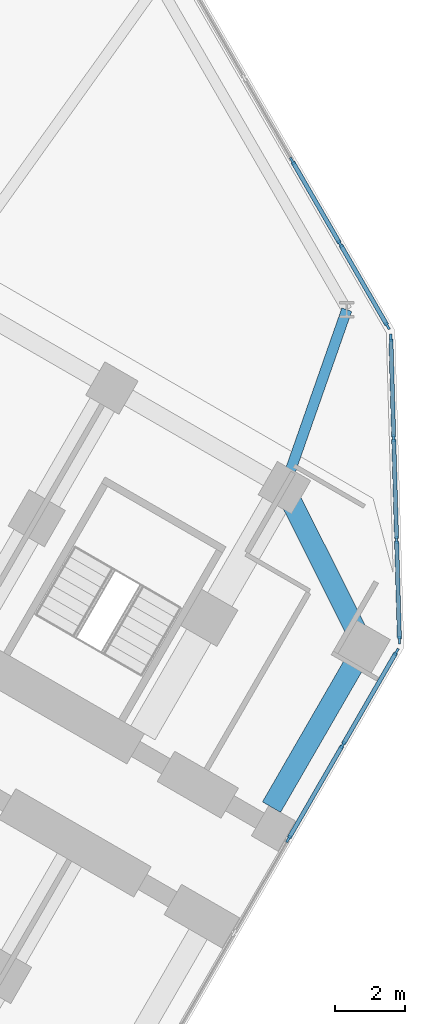
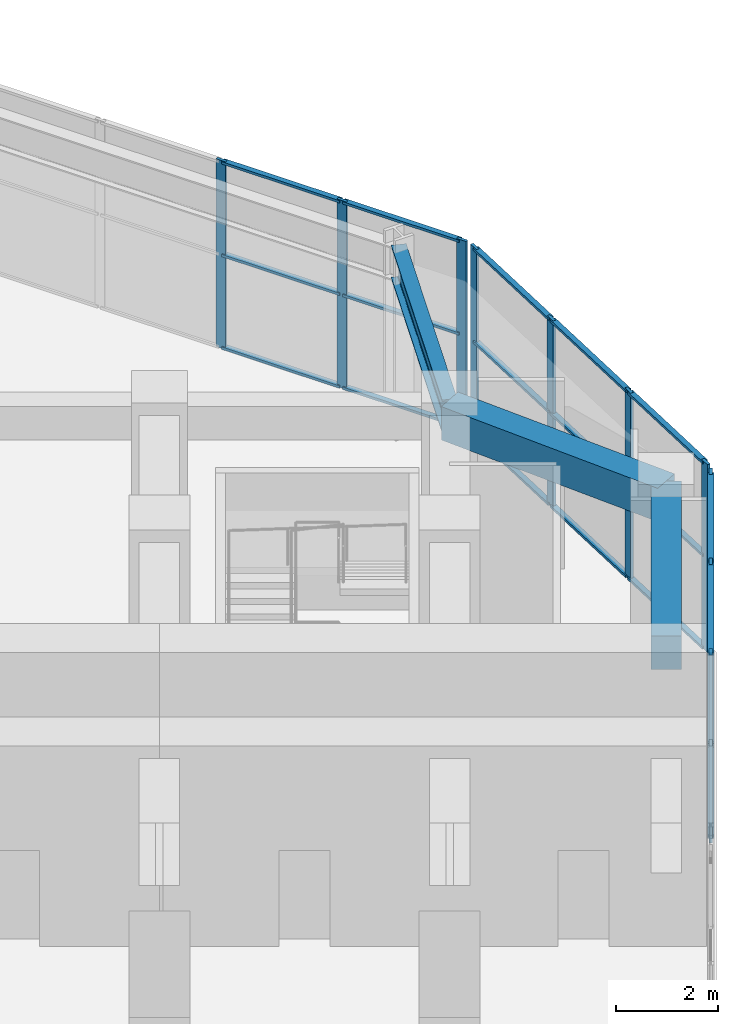
# One storey, part 11 of 22: 31 members, 3 beams, 3 elements without a shape of their own.
"""IFC4 building model written with IfcOpenShell, lengths in metres."""

import ifcopenshell
import ifcopenshell.guid

model = None  # the IFC model being written
_history = None  # IfcOwnerHistory: only IFC2X3 demands one
_inside = {}  # id of a spatial element -> (the spatial element, [elements in it])
_under = {}  # id of a project, library or spatial element -> (it, [spatial elements below it])
_declared = {}  # id of a project -> (the project, [libraries it declares])
_typed = {}  # id of a type object -> (the type object, [elements of that type])
_made_of = {}  # id of a material, layer set ... -> (it, [elements and type objects made of it])


def new_model(schema):
    """Start an empty IFC model of exactly this schema.

    Asked for "IFC4X3", IfcOpenShell would pick the latest addendum, in which some entities
    have other attributes; the version numbers below select the first issue.
    IFC2X3 requires an IfcOwnerHistory on every rooted entity: one is made here for all.
    """
    global model, _history
    if schema == "IFC4X3":
        model = ifcopenshell.file(schema_version=(4, 3, 0, 0))
    else:
        model = ifcopenshell.file(schema=schema)
    _inside.clear()
    _under.clear()
    _declared.clear()
    _typed.clear()
    _made_of.clear()
    _history = None
    if model.schema == "IFC2X3":
        org = make("IfcOrganization", Name="unknown")
        user = make(
            "IfcPersonAndOrganization",
            ThePerson=make("IfcPerson", FamilyName="unknown"),
            TheOrganization=org,
        )
        app = make(
            "IfcApplication",
            ApplicationDeveloper=org,
            Version="unknown",
            ApplicationFullName="unknown",
            ApplicationIdentifier="unknown",
        )
        _history = make(
            "IfcOwnerHistory",
            OwningUser=user,
            OwningApplication=app,
            ChangeAction="ADDED",
            CreationDate=0,
        )
    return model


def make(cls, **values):
    """One entity of the class cls with the attributes given. An attribute that is None is left unset."""
    return model.create_entity(
        cls, **{name: value for name, value in values.items() if value is not None}
    )


def rooted(cls, **values):
    """An entity with a GlobalId (a new one), such as an element, a storey or a relation."""
    return make(cls, GlobalId=ifcopenshell.guid.new(), OwnerHistory=_history, **values)


def si_unit(unit_type, name, prefix=None):
    """IfcSIUnit, for example si_unit("LENGTHUNIT", "METRE", prefix="MILLI")."""
    return make("IfcSIUnit", UnitType=unit_type, Prefix=prefix, Name=name)


def assignment(units):
    """IfcUnitAssignment: the units of a project."""
    return None if units is None else make("IfcUnitAssignment", Units=units)


def point(xyz):
    """IfcCartesianPoint."""
    return None if xyz is None else make("IfcCartesianPoint", Coordinates=xyz)


def direction(xyz):
    """IfcDirection."""
    return None if xyz is None else make("IfcDirection", DirectionRatios=xyz)


def frame(location, z_axis=None, x_axis=None):
    """IfcAxis2Placement3D, a coordinate frame: its origin and axes. An axis left out is left unset."""
    return make(
        "IfcAxis2Placement3D",
        Location=point(location),
        Axis=direction(z_axis),
        RefDirection=direction(x_axis),
    )


def frame_2d(location, x_axis=None):
    """IfcAxis2Placement2D, a coordinate frame in the plane: its origin and x axis."""
    return make(
        "IfcAxis2Placement2D", Location=point(location), RefDirection=direction(x_axis)
    )


def origin():
    """The frame at (0, 0, 0) with its axes left unset."""
    return frame((0.0, 0.0, 0.0))


def origin_2d():
    """The frame at (0, 0) in the plane with its x axis left unset."""
    return frame_2d((0.0, 0.0))


def place(relative_to, where):
    """IfcLocalPlacement: puts the frame where relative to a parent placement (None: the world)."""
    return make(
        "IfcLocalPlacement", PlacementRelTo=relative_to, RelativePlacement=where
    )


def context(
    kind, dimensions, precision=None, world=None, true_north=None, identifier=None
):
    """IfcGeometricRepresentationContext, for example the 3D "Model" context."""
    return make(
        "IfcGeometricRepresentationContext",
        ContextIdentifier=identifier,
        ContextType=kind,
        CoordinateSpaceDimension=dimensions,
        Precision=precision,
        WorldCoordinateSystem=world,
        TrueNorth=true_north,
    )


def subcontext(parent, identifier, kind, view, scale=None):
    """IfcGeometricRepresentationSubContext, for example "Body" below "Model"."""
    return make(
        "IfcGeometricRepresentationSubContext",
        ContextIdentifier=identifier,
        ContextType=kind,
        ParentContext=parent,
        TargetScale=scale,
        TargetView=view,
    )


def project(units=None, contexts=None):
    """IfcProject with its units and contexts."""
    return rooted(
        "IfcProject",
        Name="project",
        RepresentationContexts=contexts,
        UnitsInContext=assignment(units),
    )


def spatial(cls, under=None, at=None, **own):
    """A site, building, storey or space (cls), placed at a placement, below another one or the project."""
    s = rooted(cls, ObjectPlacement=at, **own)
    if under is not None:
        _under.setdefault(under.id(), (under, []))[1].append(s)
    return s


def profile(cls, at=None, kind="AREA", **sizes):
    """A parametric profile (cls). Its sizes go by their IFC names, for example OverallWidth=200.0."""
    return make(cls, ProfileType=kind, Position=at, **sizes)


def rectangle(**sizes):
    """IfcRectangleProfileDef."""
    return profile("IfcRectangleProfileDef", **sizes)


def i_section(**sizes):
    """IfcIShapeProfileDef."""
    return profile("IfcIShapeProfileDef", **sizes)


def extrude(swept, where, along, depth):
    """IfcExtrudedAreaSolid: the profile swept, set in the frame where, extruded along a direction by depth."""
    return make(
        "IfcExtrudedAreaSolid",
        SweptArea=swept,
        Position=where,
        ExtrudedDirection=direction(along),
        Depth=depth,
    )


def shape(context_of_items, identifier, shape_type, items):
    """IfcShapeRepresentation: the items that make up one representation, for example the "Body"."""
    return make(
        "IfcShapeRepresentation",
        ContextOfItems=context_of_items,
        RepresentationIdentifier=identifier,
        RepresentationType=shape_type,
        Items=items,
    )


def material(Name=None, Category=None):
    """IfcMaterial."""
    return make("IfcMaterial", Name=Name, Category=Category)


def material_profile(
    of_material, cross_section, Name=None, Category=None, Priority=None
):
    """IfcMaterialProfile: a cross section and its material."""
    return make(
        "IfcMaterialProfile",
        Name=Name,
        Material=of_material,
        Profile=cross_section,
        Priority=Priority,
        Category=Category,
    )


def profile_set(profiles, Name=None, composite=None):
    """IfcMaterialProfileSet."""
    return make(
        "IfcMaterialProfileSet",
        Name=Name,
        MaterialProfiles=profiles,
        CompositeProfile=composite,
    )


def made_of(thing, what):
    """Note that an element or type object is made of a material, layer set ...; save() writes the relation."""
    if what is not None:
        _made_of.setdefault(what.id(), (what, []))[1].append(thing)
    return thing


def type_object(cls, material=None, **own):
    """A type object (cls), such as IfcWallType, which elements share."""
    return made_of(rooted(cls, **own), material)


def element(
    cls,
    number,
    at=None,
    inside=None,
    cuts=None,
    type_object=None,
    material=None,
    context=None,
    identifier="Body",
    shape_type=None,
    held_by="IfcProductDefinitionShape",
    body=None,
    shapes=None,
    **own,
):
    """One element of the class cls, such as IfcWall. Its Tag is "e" and its number.

    at: its placement. inside: the storey or other place that contains it. cuts: it is an
    opening in that element (IfcRelVoidsElement). A single representation is given by context,
    identifier, shape_type and body (its items); several are given by shapes. held_by: the class
    of the entity that holds the representations. save() writes the other relations.
    """
    e = rooted(cls, Tag="e%d" % number, ObjectPlacement=at, **own)
    if body is not None:
        shapes = [shape(context, identifier, shape_type, body)]
    if shapes is not None:
        e.Representation = make(held_by, Representations=shapes)
    if inside is not None:
        _inside.setdefault(inside.id(), (inside, []))[1].append(e)
    if cuts is not None:
        rooted(
            "IfcRelVoidsElement", RelatingBuildingElement=cuts, RelatedOpeningElement=e
        )
    if type_object is not None:
        _typed.setdefault(type_object.id(), (type_object, []))[1].append(e)
    return made_of(e, material)


def aggregate(whole, parts):
    """IfcRelAggregates: a whole, such as a stair, and the parts it consists of."""
    return rooted("IfcRelAggregates", RelatingObject=whole, RelatedObjects=parts)


def save(model, path):
    """Write the relations noted so far, then the file.

    IfcRelAggregates (storeys below a building ...), IfcRelContainedInSpatialStructure (elements
    in a storey), IfcRelDefinesByType, IfcRelAssociatesMaterial and IfcRelDeclares: one each for
    every whole, place, type object, material and project.
    """
    for whole, parts in _under.values():
        aggregate(whole, parts)
    for where, things in _inside.values():
        rooted(
            "IfcRelContainedInSpatialStructure",
            RelatedElements=things,
            RelatingStructure=where,
        )
    for kind, things in _typed.values():
        rooted("IfcRelDefinesByType", RelatedObjects=things, RelatingType=kind)
    for what, things in _made_of.values():
        rooted("IfcRelAssociatesMaterial", RelatedObjects=things, RelatingMaterial=what)
    for by, libraries in _declared.values():
        rooted("IfcRelDeclares", RelatingContext=by, RelatedDefinitions=libraries)
    model.write(path)


model = new_model("IFC4")

# Units and contexts
model_context = context("Model", 3, precision=1e-05, world=origin(), true_north=direction((0.0, 1.0)))
body_context = subcontext(model_context, "Body", "Model", "MODEL_VIEW")
ifc_project = project(units=[si_unit("LENGTHUNIT", "METRE"), si_unit("AREAUNIT", "SQUARE_METRE"), si_unit("VOLUMEUNIT", "CUBIC_METRE"), si_unit("PLANEANGLEUNIT", "RADIAN"), si_unit("MASSUNIT", "GRAM", prefix="KILO")], contexts=[model_context])

# Site, building, storey
site_placement = place(None, origin())
site = spatial("IfcSite", under=ifc_project, at=site_placement, CompositionType="ELEMENT")
building_placement = place(site_placement, origin())
building = spatial("IfcBuilding", under=site, at=building_placement, Name="Kosmar Iwan School Tower", CompositionType="ELEMENT")
storey_placement = place(building_placement, frame((0.0, 0.0, 15.60009765625)))
storey = spatial("IfcBuildingStorey", under=building, at=storey_placement, Name="L03", CompositionType="ELEMENT", Elevation=15.60009765625)

# Beam
ifc_material_1 = material(Name="Steel S355", Category="steel")
ifc_material_profile_1 = material_profile(ifc_material_1, i_section(OverallWidth=0.300048828125, OverallDepth=0.800048828125, WebThickness=0.017578125, FlangeThickness=0.032958984375, FilletRadius=0.030029296875, at=origin_2d()), Name="HE 800 B")
ifc_profile_set_1 = profile_set([ifc_material_profile_1], Name="Steel S355")
beam_type_1 = type_object("IfcBeamType", Name="Infill edge beam HE 800 B", PredefinedType="BEAM", material=ifc_profile_set_1)
beam_1_placement = place(storey_placement, frame((32.30224609375, -0.749267578125, 4.099853515625), z_axis=(-0.330701081571, -0.943735553345, 0.0), x_axis=(0.943735553345, -0.330701081571, 0.0)))
element("IfcBeam", 1, at=beam_1_placement, inside=storey, type_object=beam_type_1, Name="Infill edge beam AC5", PredefinedType="BEAM", context=body_context, shape_type="SweptSolid", body=[
    extrude(i_section(OverallWidth=0.300048828125, OverallDepth=0.800048828125, WebThickness=0.017578125, FlangeThickness=0.032958984375, FilletRadius=0.030029296875, at=origin_2d()), origin(), (0.0, 0.0, 1.0), 5.39599609375),
])

# Curtain wall, members
ifc_material_2 = material(Name="Dark glass in black aluminium frame", Category="aluminium")
curtain_wall_type_1 = type_object("IfcCurtainWallType", Name="Tower curtain wall dark glass", PredefinedType="USERDEFINED", material=ifc_material_2)
curtain_wall_1_placement = place(storey_placement, origin())
curtain_wall_1 = element("IfcCurtainWall", 2, at=curtain_wall_1_placement, inside=storey, type_object=curtain_wall_type_1, Name="Curtain wall L03-F02", ObjectType="UNITISED CURTAIN WALL", PredefinedType="USERDEFINED")
ifc_material_3 = material(Name="Black anodised aluminium", Category="aluminium")
ifc_material_profile_2 = material_profile(ifc_material_3, rectangle(XDim=0.06494140625, YDim=0.219970703125, at=origin_2d()), Name="MULLION 65x220")
ifc_profile_set_2 = profile_set([ifc_material_profile_2], Name="Black anodised aluminium")
member_type_1 = type_object("IfcMemberType", Name="Podium mullion 65x220", PredefinedType="MULLION", material=ifc_profile_set_2)
member_1_placement = place(storey_placement, frame((30.632568359375, -15.892578125, 0.0), z_axis=(0.0, 0.0, 1.0), x_axis=(-0.866025395669, 0.500000014057, 0.0)))
member_1 = element("IfcMember", 3, at=member_1_placement, type_object=member_type_1, Name="CW1 mullion 4", PredefinedType="MULLION", context=body_context, shape_type="SweptSolid", body=[
    extrude(rectangle(XDim=0.06494140625, YDim=0.219970703125, at=origin_2d()), origin(), (0.0, 0.0, 1.0), 4.5),
])
member_2_placement = place(storey_placement, frame((32.185546875, -13.202880859375, 0.0), z_axis=(0.0, 0.0, 1.0), x_axis=(-0.866025395669, 0.500000014057, 0.0)))
member_2 = element("IfcMember", 4, at=member_2_placement, type_object=member_type_1, Name="CW1 mullion 5", PredefinedType="MULLION", context=body_context, shape_type="SweptSolid", body=[
    extrude(rectangle(XDim=0.06494140625, YDim=0.219970703125, at=origin_2d()), origin(), (0.0, 0.0, 1.0), 4.5),
])
member_3_placement = place(storey_placement, frame((33.72216796875, -10.541259765625, 0.0), z_axis=(0.0, 0.0, 1.0), x_axis=(-0.866025395669, 0.500000014057, 0.0)))
member_3 = element("IfcMember", 5, at=member_3_placement, type_object=member_type_1, Name="CW1 mullion 6", PredefinedType="MULLION", context=body_context, shape_type="SweptSolid", body=[
    extrude(rectangle(XDim=0.06494140625, YDim=0.219970703125, at=origin_2d()), origin(), (0.0, 0.0, 1.0), 4.5),
])

ifc_material_4 = material(Name="Dark glass in black aluminium frame", Category="aluminium")
curtain_wall_type_2 = type_object("IfcCurtainWallType", Name="Podium curtain wall", PredefinedType="USERDEFINED", material=ifc_material_4)
curtain_wall_2_placement = place(storey_placement, origin())
curtain_wall_2 = element("IfcCurtainWall", 6, at=curtain_wall_2_placement, inside=storey, type_object=curtain_wall_type_2, Name="Curtain wall L03-F03", ObjectType="STICK CURTAIN WALL", PredefinedType="USERDEFINED")
member_4_placement = place(storey_placement, frame((33.808349609375, -10.200927734375, 0.0), z_axis=(0.0, 0.0, 1.0), x_axis=(-0.999597032017, -0.028386151255, 0.0)))
member_4 = element("IfcMember", 7, at=member_4_placement, type_object=member_type_1, Name="CW3 mullion 1", PredefinedType="MULLION", context=body_context, shape_type="SweptSolid", body=[
    extrude(rectangle(XDim=0.06494140625, YDim=0.219970703125, at=origin_2d()), origin(), (0.0, 0.0, 1.0), 4.5),
])
member_5_placement = place(storey_placement, frame((33.726806640625, -7.330078125, 0.0), z_axis=(0.0, 0.0, 1.0), x_axis=(-0.999597032017, -0.028386151255, 0.0)))
member_5 = element("IfcMember", 8, at=member_5_placement, type_object=member_type_1, Name="CW3 mullion 2", PredefinedType="MULLION", context=body_context, shape_type="SweptSolid", body=[
    extrude(rectangle(XDim=0.06494140625, YDim=0.219970703125, at=origin_2d()), origin(), (0.0, 0.0, 1.0), 4.5),
])
member_6_placement = place(storey_placement, frame((33.644287109375, -4.4267578125, 0.0), z_axis=(0.0, 0.0, 1.0), x_axis=(-0.999597032017, -0.028386151255, 0.0)))
member_6 = element("IfcMember", 9, at=member_6_placement, type_object=member_type_1, Name="CW3 mullion 3", PredefinedType="MULLION", context=body_context, shape_type="SweptSolid", body=[
    extrude(rectangle(XDim=0.06494140625, YDim=0.219970703125, at=origin_2d()), origin(), (0.0, 0.0, 1.0), 4.5),
])
member_7_placement = place(storey_placement, frame((33.562744140625, -1.555908203125, 0.0), z_axis=(0.0, 0.0, 1.0), x_axis=(-0.999597032017, -0.028386151255, 0.0)))
member_7 = element("IfcMember", 10, at=member_7_placement, type_object=member_type_1, Name="CW3 mullion 4", PredefinedType="MULLION", context=body_context, shape_type="SweptSolid", body=[
    extrude(rectangle(XDim=0.06494140625, YDim=0.219970703125, at=origin_2d()), origin(), (0.0, 0.0, 1.0), 4.5),
])

curtain_wall_3_placement = place(storey_placement, origin())
curtain_wall_3 = element("IfcCurtainWall", 11, at=curtain_wall_3_placement, inside=storey, type_object=curtain_wall_type_2, Name="Curtain wall L03-F04", ObjectType="STICK CURTAIN WALL", PredefinedType="USERDEFINED")
member_8_placement = place(storey_placement, frame((33.46630859375, -1.215576171875, 0.0), z_axis=(0.0, 0.0, 1.0), x_axis=(-0.866025390869, -0.50000002237, 0.0)))
member_8 = element("IfcMember", 12, at=member_8_placement, type_object=member_type_1, Name="CW3 mullion 1", PredefinedType="MULLION", context=body_context, shape_type="SweptSolid", body=[
    extrude(rectangle(XDim=0.06494140625, YDim=0.219970703125, at=origin_2d()), origin(), (0.0, 0.0, 1.0), 4.5),
])
member_9_placement = place(storey_placement, frame((32.112060546875, 1.13037109375, 0.0), z_axis=(0.0, 0.0, 1.0), x_axis=(-0.866025390869, -0.50000002237, 0.0)))
member_9 = element("IfcMember", 13, at=member_9_placement, type_object=member_type_1, Name="CW3 mullion 2", PredefinedType="MULLION", context=body_context, shape_type="SweptSolid", body=[
    extrude(rectangle(XDim=0.06494140625, YDim=0.219970703125, at=origin_2d()), origin(), (0.0, 0.0, 1.0), 4.5),
])
member_10_placement = place(storey_placement, frame((30.741455078125, 3.50439453125, 0.0), z_axis=(0.0, 0.0, 1.0), x_axis=(-0.866025390869, -0.50000002237, 0.0)))
member_10 = element("IfcMember", 14, at=member_10_placement, type_object=member_type_1, Name="CW3 mullion 3", PredefinedType="MULLION", context=body_context, shape_type="SweptSolid", body=[
    extrude(rectangle(XDim=0.06494140625, YDim=0.219970703125, at=origin_2d()), origin(), (0.0, 0.0, 1.0), 4.5),
])

# Beams
ifc_material_5 = material(Name="Concrete C50/60", Category="concrete")
ifc_material_profile_3 = material_profile(ifc_material_5, rectangle(XDim=0.60009765625, YDim=0.800048828125, at=origin_2d()), Name="RC 600x800")
ifc_profile_set_3 = profile_set([ifc_material_profile_3], Name="Concrete C50/60")
beam_type_2 = type_object("IfcBeamType", Name="RC tip beam 600x800", PredefinedType="BEAM", material=ifc_profile_set_3)
beam_2_placement = place(storey_placement, frame((30.517822265625, -5.841552734375, 4.099853515625), z_axis=(0.44809604203, -0.893985423325, 0.0), x_axis=(0.893985423325, 0.44809604203, 0.0)))
element("IfcBeam", 15, at=beam_2_placement, inside=storey, type_object=beam_type_2, Name="Tip beam CL", PredefinedType="BEAM", context=body_context, shape_type="SweptSolid", body=[
    extrude(rectangle(XDim=0.60009765625, YDim=0.800048828125, at=origin_2d()), origin(), (0.0, 0.0, 1.0), 5.08935546875),
])
beam_3_placement = place(storey_placement, frame((32.79833984375, -10.391357421875, 4.099853515625), z_axis=(-0.499973660256, -0.866040610509, 0.0), x_axis=(0.866040610509, -0.499973660256, 0.0)))
element("IfcBeam", 16, at=beam_3_placement, inside=storey, type_object=beam_type_2, Name="Tip beam CL to corridor wall", PredefinedType="BEAM", context=body_context, shape_type="SweptSolid", body=[
    extrude(rectangle(XDim=0.60009765625, YDim=0.800048828125, at=origin_2d()), origin(), (0.0, 0.0, 1.0), 5.300048828125),
])

# Member
ifc_material_6 = material(Name="Black anodised aluminium", Category="aluminium")
ifc_material_profile_4 = material_profile(ifc_material_6, rectangle(XDim=0.1201171875, YDim=0.06005859375, at=origin_2d()), Name="TRANSOM 60x120")
ifc_profile_set_4 = profile_set([ifc_material_profile_4], Name="Black anodised aluminium")
member_type_2 = type_object("IfcMemberType", Name="Transom 60x120", PredefinedType="USERDEFINED", material=ifc_profile_set_4)
member_11_placement = place(storey_placement, frame((30.64892578125, -15.864501953125, 0.02978515625), z_axis=(0.50000738486, 0.866021140091, 0.0), x_axis=(-0.866021140091, 0.50000738486, 0.0)))
member_11 = element("IfcMember", 17, at=member_11_placement, type_object=member_type_2, Name="CW1 transom 4.1", ObjectType="TRANSOM", PredefinedType="USERDEFINED", context=body_context, shape_type="SweptSolid", body=[
    extrude(rectangle(XDim=0.1201171875, YDim=0.06005859375, at=origin_2d()), origin(), (0.0, 0.0, 1.0), 3.041015625),
])

member_12_placement = place(storey_placement, frame((30.64892578125, -15.864501953125, 2.25), z_axis=(0.50000738486, 0.866021140091, 0.0), x_axis=(-0.866021140091, 0.50000738486, 0.0)))
member_12 = element("IfcMember", 18, at=member_12_placement, type_object=member_type_2, Name="CW1 transom 4.2", ObjectType="TRANSOM", PredefinedType="USERDEFINED", context=body_context, shape_type="SweptSolid", body=[
    extrude(rectangle(XDim=0.1201171875, YDim=0.06005859375, at=origin_2d()), origin(), (0.0, 0.0, 1.0), 3.041015625),
])

member_13_placement = place(storey_placement, frame((30.64892578125, -15.864501953125, 4.469970703125), z_axis=(0.50000738486, 0.866021140091, 0.0), x_axis=(-0.866021140091, 0.50000738486, 0.0)))
member_13 = element("IfcMember", 19, at=member_13_placement, type_object=member_type_2, Name="CW1 transom 4.3", ObjectType="TRANSOM", PredefinedType="USERDEFINED", context=body_context, shape_type="SweptSolid", body=[
    extrude(rectangle(XDim=0.1201171875, YDim=0.06005859375, at=origin_2d()), origin(), (0.0, 0.0, 1.0), 3.041015625),
])

member_14_placement = place(storey_placement, frame((32.201904296875, -13.1748046875, 0.02978515625), z_axis=(0.499970659234, 0.866042343021, 0.0), x_axis=(-0.866042343021, 0.499970659234, 0.0)))
member_14 = element("IfcMember", 20, at=member_14_placement, type_object=member_type_2, Name="CW1 transom 5.1", ObjectType="TRANSOM", PredefinedType="USERDEFINED", context=body_context, shape_type="SweptSolid", body=[
    extrude(rectangle(XDim=0.1201171875, YDim=0.06005859375, at=origin_2d()), origin(), (0.0, 0.0, 1.0), 3.008544921875),
])

member_15_placement = place(storey_placement, frame((32.201904296875, -13.1748046875, 2.25), z_axis=(0.499970659234, 0.866042343021, 0.0), x_axis=(-0.866042343021, 0.499970659234, 0.0)))
member_15 = element("IfcMember", 21, at=member_15_placement, type_object=member_type_2, Name="CW1 transom 5.2", ObjectType="TRANSOM", PredefinedType="USERDEFINED", context=body_context, shape_type="SweptSolid", body=[
    extrude(rectangle(XDim=0.1201171875, YDim=0.06005859375, at=origin_2d()), origin(), (0.0, 0.0, 1.0), 3.008544921875),
])

member_16_placement = place(storey_placement, frame((32.201904296875, -13.1748046875, 4.469970703125), z_axis=(0.499970659234, 0.866042343021, 0.0), x_axis=(-0.866042343021, 0.499970659234, 0.0)))
member_16 = element("IfcMember", 22, at=member_16_placement, type_object=member_type_2, Name="CW1 transom 5.3", ObjectType="TRANSOM", PredefinedType="USERDEFINED", context=body_context, shape_type="SweptSolid", body=[
    extrude(rectangle(XDim=0.1201171875, YDim=0.06005859375, at=origin_2d()), origin(), (0.0, 0.0, 1.0), 3.008544921875),
])

aggregate(curtain_wall_1, [member_1, member_2, member_3, member_11, member_12, member_13, member_14, member_15, member_16])

member_17_placement = place(storey_placement, frame((33.807373046875, -10.16845703125, 0.02978515625), z_axis=(-0.028353687706, 0.999597953376, 0.0), x_axis=(-0.999597953376, -0.028353687706, 0.0)))
member_17 = element("IfcMember", 23, at=member_17_placement, type_object=member_type_2, Name="CW3 transom 1.1", ObjectType="TRANSOM", PredefinedType="USERDEFINED", context=body_context, shape_type="SweptSolid", body=[
    extrude(rectangle(XDim=0.1201171875, YDim=0.06005859375, at=origin_2d()), origin(), (0.0, 0.0, 1.0), 2.80712890625),
])

member_18_placement = place(storey_placement, frame((33.807373046875, -10.16845703125, 2.25), z_axis=(-0.028353687706, 0.999597953376, 0.0), x_axis=(-0.999597953376, -0.028353687706, 0.0)))
member_18 = element("IfcMember", 24, at=member_18_placement, type_object=member_type_2, Name="CW3 transom 1.2", ObjectType="TRANSOM", PredefinedType="USERDEFINED", context=body_context, shape_type="SweptSolid", body=[
    extrude(rectangle(XDim=0.1201171875, YDim=0.06005859375, at=origin_2d()), origin(), (0.0, 0.0, 1.0), 2.80712890625),
])

member_19_placement = place(storey_placement, frame((33.807373046875, -10.16845703125, 4.469970703125), z_axis=(-0.028353687706, 0.999597953376, 0.0), x_axis=(-0.999597953376, -0.028353687706, 0.0)))
member_19 = element("IfcMember", 25, at=member_19_placement, type_object=member_type_2, Name="CW3 transom 1.3", ObjectType="TRANSOM", PredefinedType="USERDEFINED", context=body_context, shape_type="SweptSolid", body=[
    extrude(rectangle(XDim=0.1201171875, YDim=0.06005859375, at=origin_2d()), origin(), (0.0, 0.0, 1.0), 2.80712890625),
])

member_20_placement = place(storey_placement, frame((33.725830078125, -7.297607421875, 0.02978515625), z_axis=(-0.028373227391, 0.99959739894, 0.0), x_axis=(-0.99959739894, -0.028373227391, 0.0)))
member_20 = element("IfcMember", 26, at=member_20_placement, type_object=member_type_2, Name="CW3 transom 2.1", ObjectType="TRANSOM", PredefinedType="USERDEFINED", context=body_context, shape_type="SweptSolid", body=[
    extrude(rectangle(XDim=0.1201171875, YDim=0.06005859375, at=origin_2d()), origin(), (0.0, 0.0, 1.0), 2.839599609375),
])

member_21_placement = place(storey_placement, frame((33.725830078125, -7.297607421875, 2.25), z_axis=(-0.028373227391, 0.99959739894, 0.0), x_axis=(-0.99959739894, -0.028373227391, 0.0)))
member_21 = element("IfcMember", 27, at=member_21_placement, type_object=member_type_2, Name="CW3 transom 2.2", ObjectType="TRANSOM", PredefinedType="USERDEFINED", context=body_context, shape_type="SweptSolid", body=[
    extrude(rectangle(XDim=0.1201171875, YDim=0.06005859375, at=origin_2d()), origin(), (0.0, 0.0, 1.0), 2.839599609375),
])

member_22_placement = place(storey_placement, frame((33.725830078125, -7.297607421875, 4.469970703125), z_axis=(-0.028373227391, 0.99959739894, 0.0), x_axis=(-0.99959739894, -0.028373227391, 0.0)))
member_22 = element("IfcMember", 28, at=member_22_placement, type_object=member_type_2, Name="CW3 transom 2.3", ObjectType="TRANSOM", PredefinedType="USERDEFINED", context=body_context, shape_type="SweptSolid", body=[
    extrude(rectangle(XDim=0.1201171875, YDim=0.06005859375, at=origin_2d()), origin(), (0.0, 0.0, 1.0), 2.839599609375),
])

member_23_placement = place(storey_placement, frame((33.6435546875, -4.394287109375, 0.02978515625), z_axis=(-0.028443064779, 0.999595414188, 0.0), x_axis=(-0.999595414188, -0.028443064779, 0.0)))
member_23 = element("IfcMember", 29, at=member_23_placement, type_object=member_type_2, Name="CW3 transom 3.1", ObjectType="TRANSOM", PredefinedType="USERDEFINED", context=body_context, shape_type="SweptSolid", body=[
    extrude(rectangle(XDim=0.1201171875, YDim=0.06005859375, at=origin_2d()), origin(), (0.0, 0.0, 1.0), 2.806884765625),
])

member_24_placement = place(storey_placement, frame((33.6435546875, -4.394287109375, 2.25), z_axis=(-0.028443064779, 0.999595414188, 0.0), x_axis=(-0.999595414188, -0.028443064779, 0.0)))
member_24 = element("IfcMember", 30, at=member_24_placement, type_object=member_type_2, Name="CW3 transom 3.2", ObjectType="TRANSOM", PredefinedType="USERDEFINED", context=body_context, shape_type="SweptSolid", body=[
    extrude(rectangle(XDim=0.1201171875, YDim=0.06005859375, at=origin_2d()), origin(), (0.0, 0.0, 1.0), 2.806884765625),
])

member_25_placement = place(storey_placement, frame((33.6435546875, -4.394287109375, 4.469970703125), z_axis=(-0.028443064779, 0.999595414188, 0.0), x_axis=(-0.999595414188, -0.028443064779, 0.0)))
member_25 = element("IfcMember", 31, at=member_25_placement, type_object=member_type_2, Name="CW3 transom 3.3", ObjectType="TRANSOM", PredefinedType="USERDEFINED", context=body_context, shape_type="SweptSolid", body=[
    extrude(rectangle(XDim=0.1201171875, YDim=0.06005859375, at=origin_2d()), origin(), (0.0, 0.0, 1.0), 2.806884765625),
])

aggregate(curtain_wall_2, [member_4, member_5, member_6, member_7, member_17, member_18, member_19, member_20, member_21, member_22, member_23, member_24, member_25])

member_26_placement = place(storey_placement, frame((33.4501953125, -1.1875, 0.02978515625), z_axis=(-0.500002203974, 0.866024131316, 0.0), x_axis=(-0.866024131316, -0.500002203974, 0.0)))
member_26 = element("IfcMember", 32, at=member_26_placement, type_object=member_type_2, Name="CW3 transom 1.1", ObjectType="TRANSOM", PredefinedType="USERDEFINED", context=body_context, shape_type="SweptSolid", body=[
    extrude(rectangle(XDim=0.1201171875, YDim=0.06005859375, at=origin_2d()), origin(), (0.0, 0.0, 1.0), 2.64404296875),
])

member_27_placement = place(storey_placement, frame((33.4501953125, -1.1875, 2.25), z_axis=(-0.500002203974, 0.866024131316, 0.0), x_axis=(-0.866024131316, -0.500002203974, 0.0)))
member_27 = element("IfcMember", 33, at=member_27_placement, type_object=member_type_2, Name="CW3 transom 1.2", ObjectType="TRANSOM", PredefinedType="USERDEFINED", context=body_context, shape_type="SweptSolid", body=[
    extrude(rectangle(XDim=0.1201171875, YDim=0.06005859375, at=origin_2d()), origin(), (0.0, 0.0, 1.0), 2.64404296875),
])

member_28_placement = place(storey_placement, frame((33.4501953125, -1.1875, 4.469970703125), z_axis=(-0.500002203974, 0.866024131316, 0.0), x_axis=(-0.866024131316, -0.500002203974, 0.0)))
member_28 = element("IfcMember", 34, at=member_28_placement, type_object=member_type_2, Name="CW3 transom 1.3", ObjectType="TRANSOM", PredefinedType="USERDEFINED", context=body_context, shape_type="SweptSolid", body=[
    extrude(rectangle(XDim=0.1201171875, YDim=0.06005859375, at=origin_2d()), origin(), (0.0, 0.0, 1.0), 2.64404296875),
])

member_29_placement = place(storey_placement, frame((32.095703125, 1.158447265625, 0.02978515625), z_axis=(-0.499975134057, 0.866039759667, 0.0), x_axis=(-0.866039759667, -0.499975134057, 0.0)))
member_29 = element("IfcMember", 35, at=member_29_placement, type_object=member_type_2, Name="CW3 transom 2.1", ObjectType="TRANSOM", PredefinedType="USERDEFINED", context=body_context, shape_type="SweptSolid", body=[
    extrude(rectangle(XDim=0.1201171875, YDim=0.06005859375, at=origin_2d()), origin(), (0.0, 0.0, 1.0), 2.676513671875),
])

member_30_placement = place(storey_placement, frame((32.095703125, 1.158447265625, 2.25), z_axis=(-0.499975134057, 0.866039759667, 0.0), x_axis=(-0.866039759667, -0.499975134057, 0.0)))
member_30 = element("IfcMember", 36, at=member_30_placement, type_object=member_type_2, Name="CW3 transom 2.2", ObjectType="TRANSOM", PredefinedType="USERDEFINED", context=body_context, shape_type="SweptSolid", body=[
    extrude(rectangle(XDim=0.1201171875, YDim=0.06005859375, at=origin_2d()), origin(), (0.0, 0.0, 1.0), 2.676513671875),
])

member_31_placement = place(storey_placement, frame((32.095703125, 1.158447265625, 4.469970703125), z_axis=(-0.499975134057, 0.866039759667, 0.0), x_axis=(-0.866039759667, -0.499975134057, 0.0)))
member_31 = element("IfcMember", 37, at=member_31_placement, type_object=member_type_2, Name="CW3 transom 2.3", ObjectType="TRANSOM", PredefinedType="USERDEFINED", context=body_context, shape_type="SweptSolid", body=[
    extrude(rectangle(XDim=0.1201171875, YDim=0.06005859375, at=origin_2d()), origin(), (0.0, 0.0, 1.0), 2.676513671875),
])

aggregate(curtain_wall_3, [member_8, member_9, member_10, member_26, member_27, member_28, member_29, member_30, member_31])

save(model, "model.ifc")
